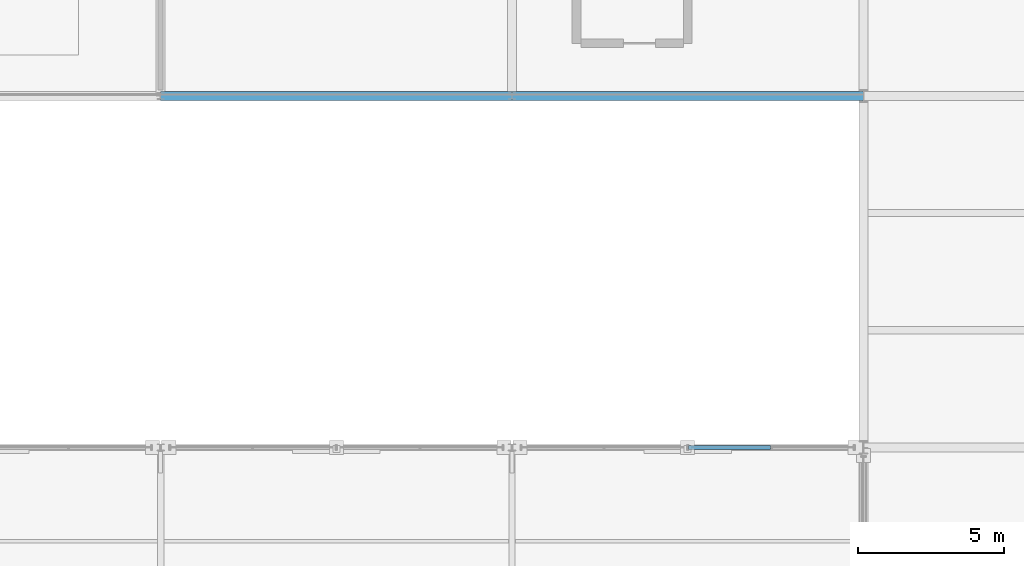
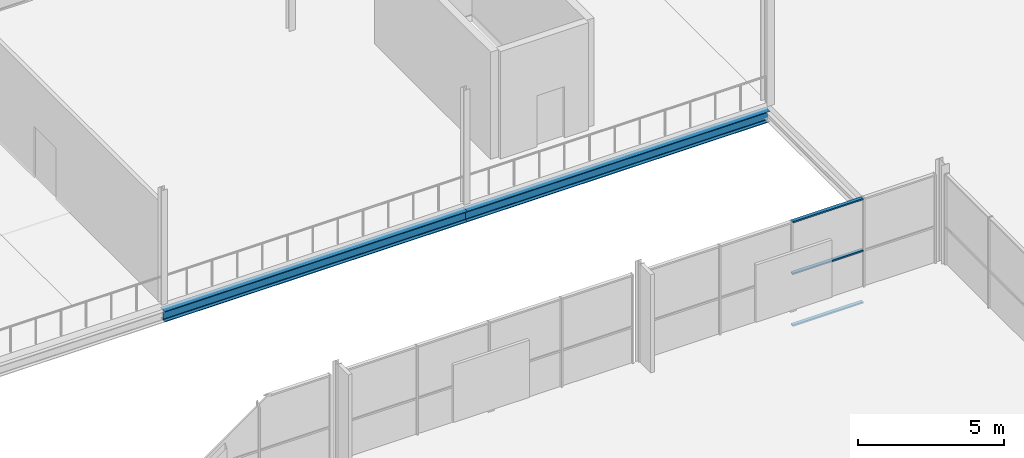
# One storey, part 101 of 159: 3 members, 2 beams, 1 element without a shape of its own.
"""IFC4 building model written with IfcOpenShell, lengths in metres."""

from ifc_helpers import new_model, si_unit, direction, frame, origin, origin_2d, place, context, subcontext, project, spatial, hollow_rectangle, i_section, extrude, material, material_profile, profile_set, type_object, element, aggregate, save


model = new_model("IFC4")

# Units and contexts
model_context = context("Model", 3, precision=1e-05, world=origin(), true_north=direction((0.0, 1.0)))
body_context = subcontext(model_context, "Body", "Model", "MODEL_VIEW")
ifc_project = project(units=[si_unit("LENGTHUNIT", "METRE"), si_unit("AREAUNIT", "SQUARE_METRE"), si_unit("VOLUMEUNIT", "CUBIC_METRE"), si_unit("PLANEANGLEUNIT", "RADIAN"), si_unit("MASSUNIT", "GRAM", prefix="KILO")], contexts=[model_context])

# Site, building, storey
site_placement = place(None, origin())
site = spatial("IfcSite", under=ifc_project, at=site_placement, CompositionType="ELEMENT")
building_placement = place(site_placement, origin())
building = spatial("IfcBuilding", under=site, at=building_placement, Name="Merenkruunu Market Hall", CompositionType="ELEMENT")
storey_placement = place(building_placement, frame((0.0, 0.0, 5.39990234375)))
storey = spatial("IfcBuildingStorey", under=building, at=storey_placement, Name="L01", CompositionType="ELEMENT", Elevation=5.39990234375)

# Curtain wall, members
ifc_material_1 = material(Name="Powder-coated aluminium", Category="aluminium")
curtain_wall_type = type_object("IfcCurtainWallType", Name="Glazed Curtain Wall CW02", PredefinedType="USERDEFINED", material=ifc_material_1)
curtain_wall_placement = place(storey_placement, origin())
curtain_wall = element("IfcCurtainWall", 1, at=curtain_wall_placement, inside=storey, type_object=curtain_wall_type, Name="CW-L01-CWM02-199", ObjectType="GLAZED_FACADE", PredefinedType="USERDEFINED")
ifc_material_profile_1 = material_profile(ifc_material_1, hollow_rectangle(XDim=0.06005859375, YDim=0.139892578125, WallThickness=0.00390625, at=origin_2d()), Name="ALU 60x140x4")
ifc_profile_set_1 = profile_set([ifc_material_profile_1], Name="Powder-coated aluminium")
member_type = type_object("IfcMemberType", Name="Curtain Wall Transom CWT02", PredefinedType="USERDEFINED", material=ifc_profile_set_1)
member_1_placement = place(storey_placement, frame((145.6298828125, 15.60009765625, 0.030029296875), z_axis=(-1.0, 0.0, 0.0), x_axis=(0.0, 0.0, 1.0)))
member_1 = element("IfcMember", 2, at=member_1_placement, type_object=member_type, Name="CW02 transom 2.1", ObjectType="TRANSOM", PredefinedType="USERDEFINED", context=body_context, shape_type="SweptSolid", body=[
    extrude(hollow_rectangle(XDim=0.06005859375, YDim=0.139892578125, WallThickness=0.00390625, at=origin_2d()), origin(), (0.0, 0.0, 1.0), 2.7998046875),
])
member_2_placement = place(storey_placement, frame((145.6298828125, 15.60009765625, 2.2001953125), z_axis=(-1.0, 0.0, 0.0), x_axis=(0.0, 0.0, 1.0)))
member_2 = element("IfcMember", 3, at=member_2_placement, type_object=member_type, Name="CW02 transom 2.2", ObjectType="TRANSOM", PredefinedType="USERDEFINED", context=body_context, shape_type="SweptSolid", body=[
    extrude(hollow_rectangle(XDim=0.06005859375, YDim=0.139892578125, WallThickness=0.00390625, at=origin_2d()), origin(), (0.0, 0.0, 1.0), 2.7998046875),
])
member_3_placement = place(storey_placement, frame((145.6298828125, 15.60009765625, 4.3701171875), z_axis=(-1.0, 0.0, 0.0), x_axis=(0.0, 0.0, 1.0)))
member_3 = element("IfcMember", 4, at=member_3_placement, type_object=member_type, Name="CW02 transom 2.3", ObjectType="TRANSOM", PredefinedType="USERDEFINED", context=body_context, shape_type="SweptSolid", body=[
    extrude(hollow_rectangle(XDim=0.06005859375, YDim=0.139892578125, WallThickness=0.00390625, at=origin_2d()), origin(), (0.0, 0.0, 1.0), 2.7998046875),
])
aggregate(curtain_wall, [member_1, member_2, member_3])

# Beams
ifc_material_2 = material(Name="Steel S355J2", Category="steel")
ifc_material_profile_2 = material_profile(ifc_material_2, i_section(OverallWidth=0.300048828125, OverallDepth=0.449951171875, WebThickness=0.013916015625, FlangeThickness=0.02587890625, FilletRadius=0.027099609375, at=origin_2d()), Name="HEB 450")
ifc_profile_set_2 = profile_set([ifc_material_profile_2], Name="Steel S355J2")
beam_type = type_object("IfcBeamType", Name="Primary Floor Girder B03", PredefinedType="BEAM", material=ifc_profile_set_2)
for number, where, z_axis, x_axis, name in (
    (5, (124.800048828125, 27.60009765625, -0.5048828125), (1.0, 0.0, 0.0), (0.0, 1.0, 0.0), "BM-L01-B03-0488"),
    (6, (136.800048828125, 27.60009765625, -0.5048828125), (1.0, 0.0, 0.0), (0.0, 1.0, 0.0), "BM-L01-B03-0489"),
):
    element("IfcBeam", number, at=place(storey_placement, frame(where, z_axis=z_axis, x_axis=x_axis)), inside=storey, type_object=beam_type, Name=name, PredefinedType="BEAM", context=body_context, shape_type="SweptSolid", body=[
        extrude(i_section(OverallWidth=0.300048828125, OverallDepth=0.449951171875, WebThickness=0.013916015625, FlangeThickness=0.02587890625, FilletRadius=0.027099609375, at=origin_2d()), origin(), (0.0, 0.0, 1.0), 12.0),
    ])

save(model, "model.ifc")
